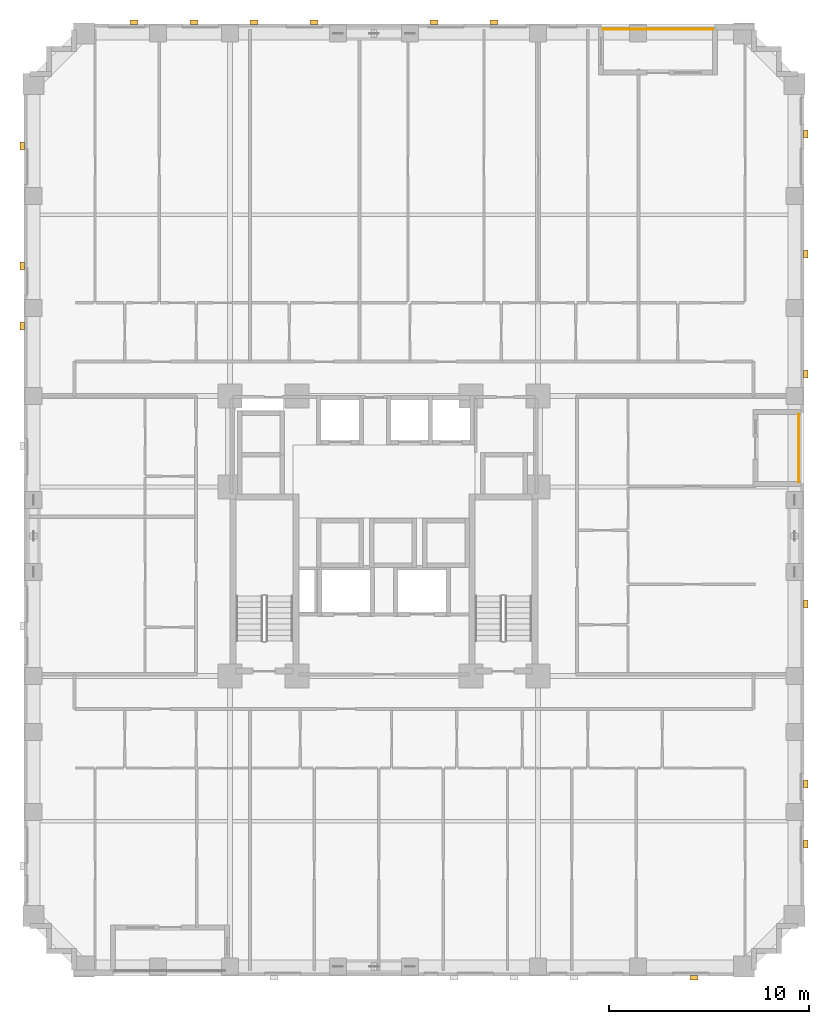
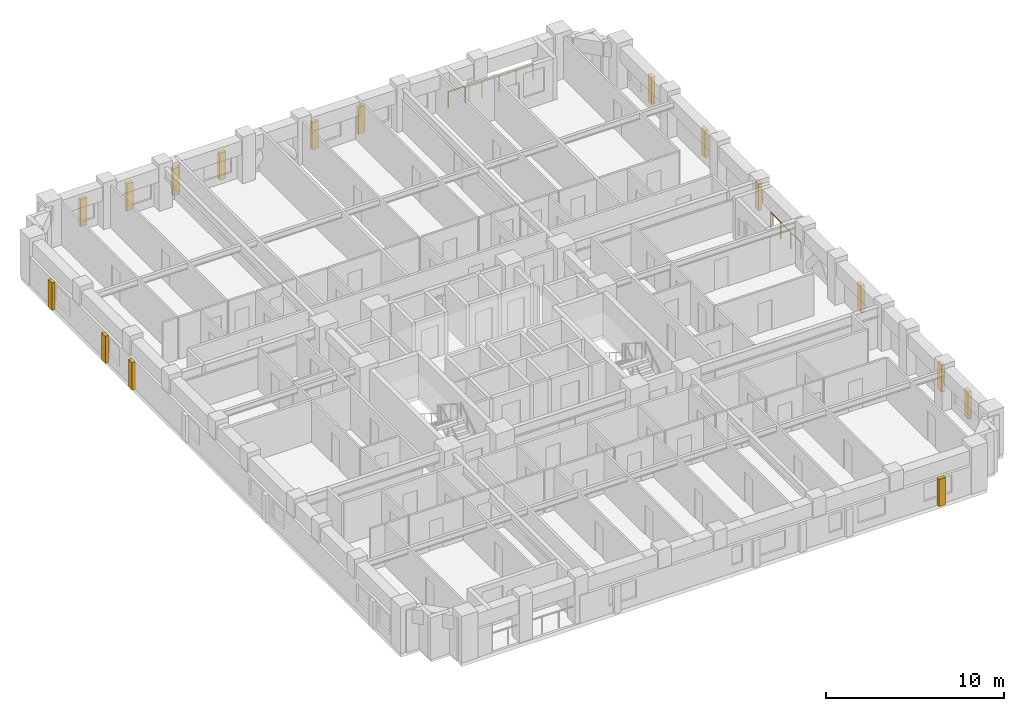
# One storey, part 14 of 14: 16 coverings, 2 railings.
"""IFC4 building model written with IfcOpenShell, lengths in metres."""

import ifcopenshell
import ifcopenshell.guid

model = None  # the IFC model being written
_history = None  # IfcOwnerHistory: only IFC2X3 demands one
_inside = {}  # id of a spatial element -> (the spatial element, [elements in it])
_under = {}  # id of a project, library or spatial element -> (it, [spatial elements below it])
_declared = {}  # id of a project -> (the project, [libraries it declares])
_typed = {}  # id of a type object -> (the type object, [elements of that type])
_made_of = {}  # id of a material, layer set ... -> (it, [elements and type objects made of it])


def new_model(schema):
    """Start an empty IFC model of exactly this schema.

    Asked for "IFC4X3", IfcOpenShell would pick the latest addendum, in which some entities
    have other attributes; the version numbers below select the first issue.
    IFC2X3 requires an IfcOwnerHistory on every rooted entity: one is made here for all.
    """
    global model, _history
    if schema == "IFC4X3":
        model = ifcopenshell.file(schema_version=(4, 3, 0, 0))
    else:
        model = ifcopenshell.file(schema=schema)
    _inside.clear()
    _under.clear()
    _declared.clear()
    _typed.clear()
    _made_of.clear()
    _history = None
    if model.schema == "IFC2X3":
        org = make("IfcOrganization", Name="unknown")
        user = make(
            "IfcPersonAndOrganization",
            ThePerson=make("IfcPerson", FamilyName="unknown"),
            TheOrganization=org,
        )
        app = make(
            "IfcApplication",
            ApplicationDeveloper=org,
            Version="unknown",
            ApplicationFullName="unknown",
            ApplicationIdentifier="unknown",
        )
        _history = make(
            "IfcOwnerHistory",
            OwningUser=user,
            OwningApplication=app,
            ChangeAction="ADDED",
            CreationDate=0,
        )
    return model


def make(cls, **values):
    """One entity of the class cls with the attributes given. An attribute that is None is left unset."""
    return model.create_entity(
        cls, **{name: value for name, value in values.items() if value is not None}
    )


def rooted(cls, **values):
    """An entity with a GlobalId (a new one), such as an element, a storey or a relation."""
    return make(cls, GlobalId=ifcopenshell.guid.new(), OwnerHistory=_history, **values)


def si_unit(unit_type, name, prefix=None):
    """IfcSIUnit, for example si_unit("LENGTHUNIT", "METRE", prefix="MILLI")."""
    return make("IfcSIUnit", UnitType=unit_type, Prefix=prefix, Name=name)


def derived_unit(unit_type, elements):
    """IfcDerivedUnit: a product of units, each with its exponent."""
    return make(
        "IfcDerivedUnit",
        Elements=[
            make("IfcDerivedUnitElement", Unit=unit, Exponent=power)
            for unit, power in elements
        ],
        UnitType=unit_type,
    )


def assignment(units):
    """IfcUnitAssignment: the units of a project."""
    return None if units is None else make("IfcUnitAssignment", Units=units)


def point(xyz):
    """IfcCartesianPoint."""
    return None if xyz is None else make("IfcCartesianPoint", Coordinates=xyz)


def direction(xyz):
    """IfcDirection."""
    return None if xyz is None else make("IfcDirection", DirectionRatios=xyz)


def frame(location, z_axis=None, x_axis=None):
    """IfcAxis2Placement3D, a coordinate frame: its origin and axes. An axis left out is left unset."""
    return make(
        "IfcAxis2Placement3D",
        Location=point(location),
        Axis=direction(z_axis),
        RefDirection=direction(x_axis),
    )


def frame_2d(location, x_axis=None):
    """IfcAxis2Placement2D, a coordinate frame in the plane: its origin and x axis."""
    return make(
        "IfcAxis2Placement2D", Location=point(location), RefDirection=direction(x_axis)
    )


def origin():
    """The frame at (0, 0, 0) with its axes left unset."""
    return frame((0.0, 0.0, 0.0))


def origin_2d():
    """The frame at (0, 0) in the plane with its x axis left unset."""
    return frame_2d((0.0, 0.0))


def place(relative_to, where):
    """IfcLocalPlacement: puts the frame where relative to a parent placement (None: the world)."""
    return make(
        "IfcLocalPlacement", PlacementRelTo=relative_to, RelativePlacement=where
    )


def context(
    kind, dimensions, precision=None, world=None, true_north=None, identifier=None
):
    """IfcGeometricRepresentationContext, for example the 3D "Model" context."""
    return make(
        "IfcGeometricRepresentationContext",
        ContextIdentifier=identifier,
        ContextType=kind,
        CoordinateSpaceDimension=dimensions,
        Precision=precision,
        WorldCoordinateSystem=world,
        TrueNorth=true_north,
    )


def subcontext(parent, identifier, kind, view, scale=None):
    """IfcGeometricRepresentationSubContext, for example "Body" below "Model"."""
    return make(
        "IfcGeometricRepresentationSubContext",
        ContextIdentifier=identifier,
        ContextType=kind,
        ParentContext=parent,
        TargetScale=scale,
        TargetView=view,
    )


def project(units=None, contexts=None):
    """IfcProject with its units and contexts."""
    return rooted(
        "IfcProject",
        Name="project",
        RepresentationContexts=contexts,
        UnitsInContext=assignment(units),
    )


def spatial(cls, under=None, at=None, **own):
    """A site, building, storey or space (cls), placed at a placement, below another one or the project."""
    s = rooted(cls, ObjectPlacement=at, **own)
    if under is not None:
        _under.setdefault(under.id(), (under, []))[1].append(s)
    return s


def profile(cls, at=None, kind="AREA", **sizes):
    """A parametric profile (cls). Its sizes go by their IFC names, for example OverallWidth=200.0."""
    return make(cls, ProfileType=kind, Position=at, **sizes)


def rectangle(**sizes):
    """IfcRectangleProfileDef."""
    return profile("IfcRectangleProfileDef", **sizes)


def circle(**sizes):
    """IfcCircleProfileDef."""
    return profile("IfcCircleProfileDef", **sizes)


def extrude(swept, where, along, depth):
    """IfcExtrudedAreaSolid: the profile swept, set in the frame where, extruded along a direction by depth."""
    return make(
        "IfcExtrudedAreaSolid",
        SweptArea=swept,
        Position=where,
        ExtrudedDirection=direction(along),
        Depth=depth,
    )


def shape(context_of_items, identifier, shape_type, items):
    """IfcShapeRepresentation: the items that make up one representation, for example the "Body"."""
    return make(
        "IfcShapeRepresentation",
        ContextOfItems=context_of_items,
        RepresentationIdentifier=identifier,
        RepresentationType=shape_type,
        Items=items,
    )


def material(Name=None, Category=None):
    """IfcMaterial."""
    return make("IfcMaterial", Name=Name, Category=Category)


def layer(
    of_material, thickness, ventilated=None, Name=None, Category=None, Priority=None
):
    """IfcMaterialLayer: one layer of a wall or slab, of a material (None: an air gap)."""
    return make(
        "IfcMaterialLayer",
        Material=of_material,
        LayerThickness=thickness,
        IsVentilated=ventilated,
        Name=Name,
        Category=Category,
        Priority=Priority,
    )


def layer_set(layers, Name=None):
    """IfcMaterialLayerSet."""
    return make("IfcMaterialLayerSet", MaterialLayers=layers, LayerSetName=Name)


def made_of(thing, what):
    """Note that an element or type object is made of a material, layer set ...; save() writes the relation."""
    if what is not None:
        _made_of.setdefault(what.id(), (what, []))[1].append(thing)
    return thing


def type_object(cls, material=None, **own):
    """A type object (cls), such as IfcWallType, which elements share."""
    return made_of(rooted(cls, **own), material)


def element(
    cls,
    number,
    at=None,
    inside=None,
    cuts=None,
    type_object=None,
    material=None,
    context=None,
    identifier="Body",
    shape_type=None,
    held_by="IfcProductDefinitionShape",
    body=None,
    shapes=None,
    **own,
):
    """One element of the class cls, such as IfcWall. Its Tag is "e" and its number.

    at: its placement. inside: the storey or other place that contains it. cuts: it is an
    opening in that element (IfcRelVoidsElement). A single representation is given by context,
    identifier, shape_type and body (its items); several are given by shapes. held_by: the class
    of the entity that holds the representations. save() writes the other relations.
    """
    e = rooted(cls, Tag="e%d" % number, ObjectPlacement=at, **own)
    if body is not None:
        shapes = [shape(context, identifier, shape_type, body)]
    if shapes is not None:
        e.Representation = make(held_by, Representations=shapes)
    if inside is not None:
        _inside.setdefault(inside.id(), (inside, []))[1].append(e)
    if cuts is not None:
        rooted(
            "IfcRelVoidsElement", RelatingBuildingElement=cuts, RelatedOpeningElement=e
        )
    if type_object is not None:
        _typed.setdefault(type_object.id(), (type_object, []))[1].append(e)
    return made_of(e, material)


def aggregate(whole, parts):
    """IfcRelAggregates: a whole, such as a stair, and the parts it consists of."""
    return rooted("IfcRelAggregates", RelatingObject=whole, RelatedObjects=parts)


def save(model, path):
    """Write the relations noted so far, then the file.

    IfcRelAggregates (storeys below a building ...), IfcRelContainedInSpatialStructure (elements
    in a storey), IfcRelDefinesByType, IfcRelAssociatesMaterial and IfcRelDeclares: one each for
    every whole, place, type object, material and project.
    """
    for whole, parts in _under.values():
        aggregate(whole, parts)
    for where, things in _inside.values():
        rooted(
            "IfcRelContainedInSpatialStructure",
            RelatedElements=things,
            RelatingStructure=where,
        )
    for kind, things in _typed.values():
        rooted("IfcRelDefinesByType", RelatedObjects=things, RelatingType=kind)
    for what, things in _made_of.values():
        rooted("IfcRelAssociatesMaterial", RelatedObjects=things, RelatingMaterial=what)
    for by, libraries in _declared.values():
        rooted("IfcRelDeclares", RelatingContext=by, RelatedDefinitions=libraries)
    model.write(path)


model = new_model("IFC4")

# Units and contexts
model_context = context("Model", 3, precision=1e-05, world=origin(), true_north=direction((0.0, 1.0)))
body_context = subcontext(model_context, "Body", "Model", "MODEL_VIEW")
ifc_project = project(units=[si_unit("LENGTHUNIT", "METRE"), si_unit("AREAUNIT", "SQUARE_METRE"), si_unit("VOLUMEUNIT", "CUBIC_METRE"), si_unit("PLANEANGLEUNIT", "RADIAN"), si_unit("MASSUNIT", "GRAM", prefix="KILO"), derived_unit("THERMALTRANSMITTANCEUNIT", [(si_unit("MASSUNIT", "GRAM", prefix="KILO"), 1), (si_unit("TIMEUNIT", "SECOND"), -3), (si_unit("THERMODYNAMICTEMPERATUREUNIT", "KELVIN"), -1)])], contexts=[model_context])

# Site, building, storey
site_placement = place(None, origin())
site = spatial("IfcSite", under=ifc_project, at=site_placement, CompositionType="ELEMENT")
building_placement = place(site_placement, origin())
building = spatial("IfcBuilding", under=site, at=building_placement, Name="Korrvale Station Residences", CompositionType="ELEMENT")
storey_placement = place(building_placement, frame((0.0, 0.0, 67.39990234375)))
storey = spatial("IfcBuildingStorey", under=building, at=storey_placement, Name="L18", CompositionType="ELEMENT", Elevation=67.39990234375)

# Coverings
ifc_material_1 = material(Name="Architectural precast concrete C45/55", Category="concrete")
ifc_layer = layer(ifc_material_1, 0.219970703125, Name="Architectural precast concrete C45/55")
ifc_layer_set = layer_set([ifc_layer], Name="Architectural precast concrete C45/55")
covering_type = type_object("IfcCoveringType", Name="COV-PIER-400", PredefinedType="CLADDING", material=ifc_layer_set)
for number, where, z_axis, x_axis, name in (
    (1, (41.0, -0.090087890625, 0.02490234375), (0.0, 0.0, 1.0), (1.0, 0.0, 0.0), "L18 Architectural Precast Facade Pier 01"),
    (2, (13.0, 47.68994140625, 0.02490234375), (0.0, 0.0, 1.0), (1.0, 0.0, 0.0), "L18 Architectural Precast Facade Pier 06"),
    (3, (16.0, 47.68994140625, 0.02490234375), (0.0, 0.0, 1.0), (1.0, 0.0, 0.0), "L18 Architectural Precast Facade Pier 07"),
    (4, (19.0, 47.68994140625, 0.02490234375), (0.0, 0.0, 1.0), (1.0, 0.0, 0.0), "L18 Architectural Precast Facade Pier 08"),
    (5, (22.0, 47.68994140625, 0.02490234375), (0.0, 0.0, 1.0), (1.0, 0.0, 0.0), "L18 Architectural Precast Facade Pier 09"),
    (6, (28.0, 47.68994140625, 0.02490234375), (0.0, 0.0, 1.0), (1.0, 0.0, 0.0), "L18 Architectural Precast Facade Pier 10"),
    (7, (31.0, 47.68994140625, 0.02490234375), (0.0, 0.0, 1.0), (1.0, 0.0, 0.0), "L18 Architectural Precast Facade Pier 11"),
    (8, (7.409912109375, 32.5, 0.02490234375), (0.0, 0.0, 1.0), (0.0, 1.0, 0.0), "L18 Architectural Precast Facade Pier 15"),
    (9, (7.409912109375, 35.5, 0.02490234375), (0.0, 0.0, 1.0), (0.0, 1.0, 0.0), "L18 Architectural Precast Facade Pier 16"),
    (10, (7.409912109375, 41.5, 0.02490234375), (0.0, 0.0, 1.0), (0.0, 1.0, 0.0), "L18 Architectural Precast Facade Pier 17"),
    (11, (46.590087890625, 42.10009765625, 0.02490234375), (0.0, 0.0, 1.0), (0.0, 1.0, 0.0), "L18 Architectural Precast Facade Pier 18"),
    (12, (46.590087890625, 36.10009765625, 0.02490234375), (0.0, 0.0, 1.0), (0.0, 1.0, 0.0), "L18 Architectural Precast Facade Pier 19"),
    (13, (46.590087890625, 30.10009765625, 0.02490234375), (0.0, 0.0, 1.0), (0.0, 1.0, 0.0), "L18 Architectural Precast Facade Pier 20"),
    (14, (46.590087890625, 18.60009765625, 0.02490234375), (0.0, 0.0, 1.0), (0.0, 1.0, 0.0), "L18 Architectural Precast Facade Pier 21"),
    (15, (46.590087890625, 9.60009765625, 0.02490234375), (0.0, 0.0, 1.0), (0.0, 1.0, 0.0), "L18 Architectural Precast Facade Pier 22"),
    (16, (46.590087890625, 6.60009765625, 0.02490234375), (0.0, 0.0, 1.0), (0.0, 1.0, 0.0), "L18 Architectural Precast Facade Pier 23"),
):
    element("IfcCovering", number, at=place(storey_placement, frame(where, z_axis=z_axis, x_axis=x_axis)), inside=storey, type_object=covering_type, Name=name, PredefinedType="CLADDING", context=body_context, shape_type="SweptSolid", body=[
        extrude(rectangle(XDim=0.419921875, YDim=0.219970703125, at=origin_2d()), origin(), (0.0, 0.0, 1.0), 1.864990234375),
    ])

# Railings
ifc_material_2 = material(Name="Powder-coated aluminium picket loggia guard", Category="aluminium")
railing_type = type_object("IfcRailingType", Name="RLG-BAL-1150", PredefinedType="GUARDRAIL", material=ifc_material_2)
railing_1_placement = place(storey_placement, frame((36.449951171875, 47.330078125, 0.0)))
element("IfcRailing", 17, at=railing_1_placement, inside=storey, type_object=railing_type, Name="L18 Recessed Loggia Guardrail BAL-L18-N1", PredefinedType="GUARDRAIL", context=body_context, shape_type="SweptSolid", body=[
    extrude(circle(Radius=0.02392578125, at=origin_2d()), frame((0.0, 0.0, 1.1259765625), z_axis=(1.0, 0.0, 0.0), x_axis=(0.0, 1.0, 0.0)), (0.0, 0.0, 1.0), 5.5),
    extrude(circle(Radius=0.02099609375, at=origin_2d()), origin(), (0.0, 0.0, 1.0), 1.101806640625),
    extrude(circle(Radius=0.02099609375, at=origin_2d()), frame((1.10009765625, 0.0, 0.0)), (0.0, 0.0, 1.0), 1.101806640625),
    extrude(circle(Radius=0.02099609375, at=origin_2d()), frame((2.199951171875, 0.0, 0.0)), (0.0, 0.0, 1.0), 1.101806640625),
    extrude(circle(Radius=0.02099609375, at=origin_2d()), frame((3.300048828125, 0.0, 0.0)), (0.0, 0.0, 1.0), 1.101806640625),
    extrude(circle(Radius=0.02099609375, at=origin_2d()), frame((4.39990234375, 0.0, 0.0)), (0.0, 0.0, 1.0), 1.101806640625),
    extrude(circle(Radius=0.02099609375, at=origin_2d()), frame((5.5, 0.0, 0.0)), (0.0, 0.0, 1.0), 1.101806640625),
])
railing_2_placement = place(storey_placement, frame((46.22998046875, 24.699951171875, 0.0)))
element("IfcRailing", 18, at=railing_2_placement, inside=storey, type_object=railing_type, Name="L18 Recessed Loggia Guardrail BAL-L18-E1", PredefinedType="GUARDRAIL", context=body_context, shape_type="SweptSolid", body=[
    extrude(circle(Radius=0.02392578125, at=origin_2d()), frame((0.0, 0.0, 1.1259765625), z_axis=(0.0, 1.0, 0.0), x_axis=(-1.0, 0.0, 0.0)), (0.0, 0.0, 1.0), 3.400146484375),
    extrude(circle(Radius=0.02099609375, at=origin_2d()), origin(), (0.0, 0.0, 1.0), 1.101806640625),
    extrude(circle(Radius=0.02099609375, at=origin_2d()), frame((0.0, 1.13330078125, 0.0)), (0.0, 0.0, 1.0), 1.101806640625),
    extrude(circle(Radius=0.02099609375, at=origin_2d()), frame((0.0, 2.266845703125, 0.0)), (0.0, 0.0, 1.0), 1.101806640625),
    extrude(circle(Radius=0.02099609375, at=origin_2d()), frame((0.0, 3.400146484375, 0.0)), (0.0, 0.0, 1.0), 1.101806640625),
])

save(model, "model.ifc")
